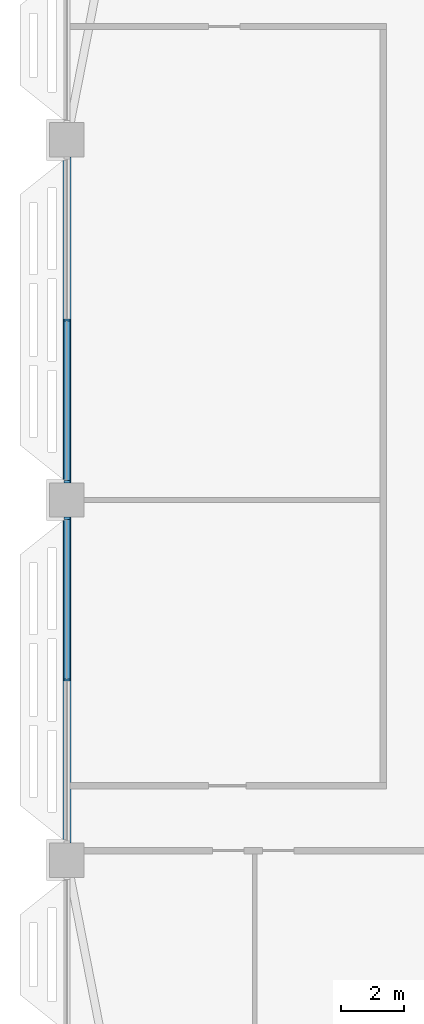
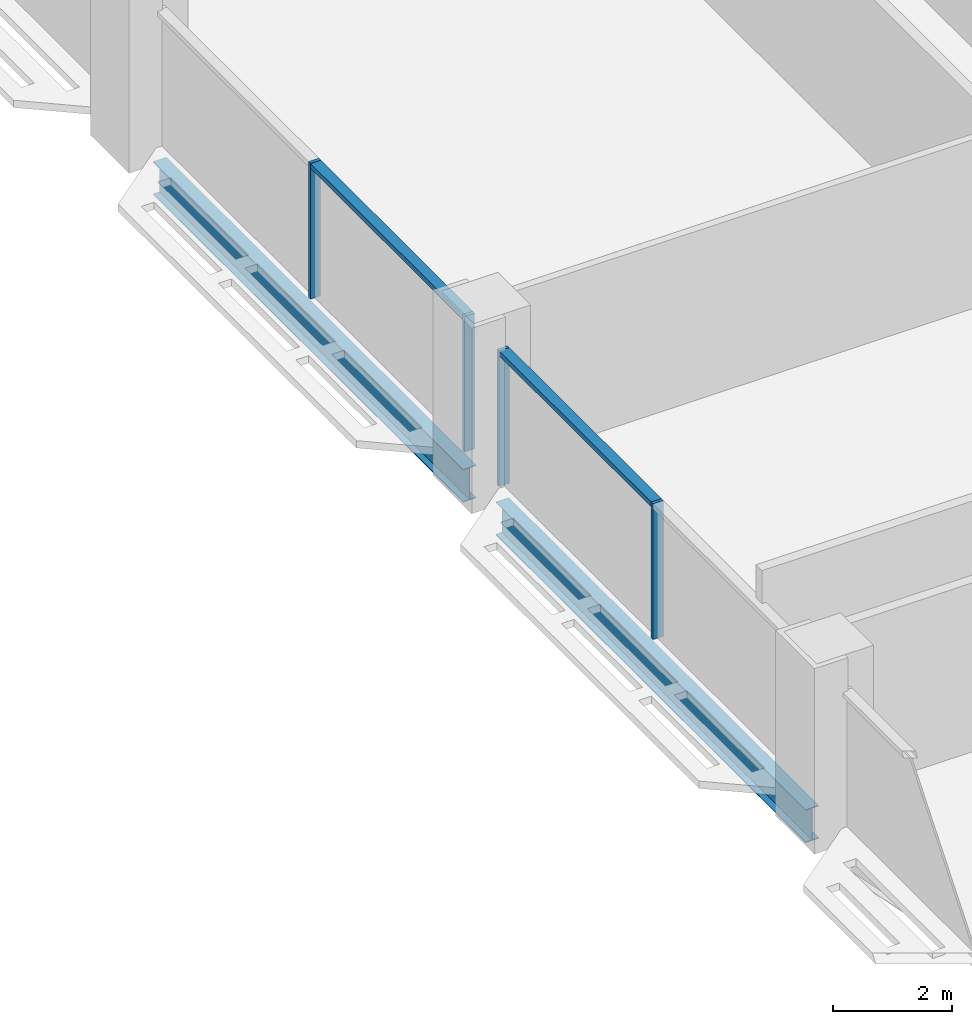
# One storey, part 5 of 30: 6 members, 2 beams, 2 elements without a shape of their own.
"""IFC4 building model written with IfcOpenShell, lengths in metres."""

from ifc_helpers import new_model, si_unit, direction, frame, origin, origin_2d, place, context, subcontext, project, spatial, rectangle, i_section, extrude, material, material_profile, profile_set, type_object, element, aggregate, save


model = new_model("IFC4")

# Units and contexts
model_context = context("Model", 3, precision=1e-05, world=origin(), true_north=direction((0.0, 1.0)))
body_context = subcontext(model_context, "Body", "Model", "MODEL_VIEW")
ifc_project = project(units=[si_unit("LENGTHUNIT", "METRE"), si_unit("AREAUNIT", "SQUARE_METRE"), si_unit("VOLUMEUNIT", "CUBIC_METRE"), si_unit("PLANEANGLEUNIT", "RADIAN"), si_unit("MASSUNIT", "GRAM", prefix="KILO")], contexts=[model_context])

# Site, building, storey
site_placement = place(None, origin())
site = spatial("IfcSite", under=ifc_project, at=site_placement, CompositionType="ELEMENT")
building_placement = place(site_placement, origin())
building = spatial("IfcBuilding", under=site, at=building_placement, Name="Mahtab Terrace Research Tower", CompositionType="ELEMENT")
storey_placement = place(building_placement, frame((0.0, 0.0, 201.5)))
storey = spatial("IfcBuildingStorey", under=building, at=storey_placement, Name="L48", CompositionType="ELEMENT", Elevation=201.5)

# Curtain wall, members
ifc_material_1 = material(Name="Laboratory ribbon curtain wall")
curtain_wall_type = type_object("IfcCurtainWallType", Name="Laboratory ribbon curtain wall", PredefinedType="NOTDEFINED", material=ifc_material_1)
curtain_wall_1_placement = place(storey_placement, origin())
curtain_wall_1 = element("IfcCurtainWall", 1, at=curtain_wall_1_placement, inside=storey, type_object=curtain_wall_type, Name="EN.L48.8.16", PredefinedType="NOTDEFINED")
ifc_material_2 = material(Name="Natural anodised aluminium", Category="aluminium")
ifc_material_profile_1 = material_profile(ifc_material_2, rectangle(XDim=0.199951171875, YDim=0.06494140625, at=origin_2d()), Name="MULLION 65x200")
ifc_profile_set_1 = profile_set([ifc_material_profile_1], Name="Natural anodised aluminium")
member_type_1 = type_object("IfcMemberType", Name="Laboratory ribbon curtain wall mullion", PredefinedType="MULLION", material=ifc_profile_set_1)
member_1_placement = place(storey_placement, frame((-42.0, 5.75, 0.0), z_axis=(0.0, 0.0, 1.0), x_axis=(1.0, 0.0, 0.0)))
member_1 = element("IfcMember", 2, at=member_1_placement, type_object=member_type_1, Name="CWL-6 mullion 2", PredefinedType="MULLION", context=body_context, shape_type="SweptSolid", body=[
    extrude(rectangle(XDim=0.199951171875, YDim=0.06494140625, at=origin_2d()), origin(), (0.0, 0.0, 1.0), 2.78173828125),
])
member_2_placement = place(storey_placement, frame((-42.0, 0.58251953125, 0.0), z_axis=(0.0, 0.0, 1.0), x_axis=(1.0, 0.0, 0.0)))
member_2 = element("IfcMember", 3, at=member_2_placement, type_object=member_type_1, Name="CWL-6 mullion 3", PredefinedType="MULLION", context=body_context, shape_type="SweptSolid", body=[
    extrude(rectangle(XDim=0.199951171875, YDim=0.06494140625, at=origin_2d()), origin(), (0.0, 0.0, 1.0), 2.78173828125),
])

curtain_wall_2_placement = place(storey_placement, origin())
curtain_wall_2 = element("IfcCurtainWall", 4, at=curtain_wall_2_placement, inside=storey, type_object=curtain_wall_type, Name="EN.L48.8.17", PredefinedType="NOTDEFINED")
member_3_placement = place(storey_placement, frame((-42.0, -0.58251953125, 0.0), z_axis=(0.0, 0.0, 1.0), x_axis=(1.0, 0.0, 0.0)))
member_3 = element("IfcMember", 5, at=member_3_placement, type_object=member_type_1, Name="CWL-6 mullion 1", PredefinedType="MULLION", context=body_context, shape_type="SweptSolid", body=[
    extrude(rectangle(XDim=0.199951171875, YDim=0.06494140625, at=origin_2d()), origin(), (0.0, 0.0, 1.0), 2.78173828125),
])
member_4_placement = place(storey_placement, frame((-42.0, -5.75, 0.0), z_axis=(0.0, 0.0, 1.0), x_axis=(1.0, 0.0, 0.0)))
member_4 = element("IfcMember", 6, at=member_4_placement, type_object=member_type_1, Name="CWL-6 mullion 2", PredefinedType="MULLION", context=body_context, shape_type="SweptSolid", body=[
    extrude(rectangle(XDim=0.199951171875, YDim=0.06494140625, at=origin_2d()), origin(), (0.0, 0.0, 1.0), 2.78173828125),
])

# Member
ifc_material_profile_2 = material_profile(ifc_material_2, rectangle(XDim=0.199951171875, YDim=0.10009765625, at=origin_2d()), Name="TRANSOM 100x200")
ifc_profile_set_2 = profile_set([ifc_material_profile_2], Name="Natural anodised aluminium")
member_type_2 = type_object("IfcMemberType", Name="Laboratory ribbon curtain wall transom", PredefinedType="USERDEFINED", material=ifc_profile_set_2)
member_5_placement = place(storey_placement, frame((-42.0, 5.717529296875, 2.731689453125), z_axis=(0.0, -1.0, 0.0), x_axis=(1.0, 0.0, 0.0)))
member_5 = element("IfcMember", 7, at=member_5_placement, type_object=member_type_2, Name="CWL-6 transom 2", ObjectType="TRANSOM", PredefinedType="USERDEFINED", context=body_context, shape_type="SweptSolid", body=[
    extrude(rectangle(XDim=0.199951171875, YDim=0.10009765625, at=origin_2d()), origin(), (0.0, 0.0, 1.0), 5.1025390625),
])

aggregate(curtain_wall_1, [member_1, member_2, member_5])

member_6_placement = place(storey_placement, frame((-42.0, -0.614990234375, 2.731689453125), z_axis=(0.0, -1.0, 0.0), x_axis=(1.0, 0.0, 0.0)))
member_6 = element("IfcMember", 8, at=member_6_placement, type_object=member_type_2, Name="CWL-6 transom 1", ObjectType="TRANSOM", PredefinedType="USERDEFINED", context=body_context, shape_type="SweptSolid", body=[
    extrude(rectangle(XDim=0.199951171875, YDim=0.10009765625, at=origin_2d()), origin(), (0.0, 0.0, 1.0), 5.1025390625),
])

aggregate(curtain_wall_2, [member_3, member_4, member_6])

# Beams
ifc_material_3 = material(Name="Steel ASTM A992 Gr 50", Category="steel")
ifc_material_profile_3 = material_profile(ifc_material_3, i_section(OverallWidth=0.25390625, OverallDepth=0.67822265625, WebThickness=0.01171875, FlangeThickness=0.016357421875, at=origin_2d()), Name="W27X84")
ifc_profile_set_3 = profile_set([ifc_material_profile_3], Name="Steel ASTM A992 Gr 50")
beam_type = type_object("IfcBeamType", Name="W27x84 beam BS2784", PredefinedType="BEAM", material=ifc_profile_set_3)
for number, where, z_axis, x_axis, name in (
    (9, (-42.0, 10.949951171875, -0.67919921875), (0.0, -1.0, 0.0), (1.0, 0.0, 0.0), "Spandrel beam L48 10"),
    (10, (-42.0, -0.550048828125, -0.67919921875), (0.0, -1.0, 0.0), (1.0, 0.0, 0.0), "Spandrel beam L48 11"),
):
    element("IfcBeam", number, at=place(storey_placement, frame(where, z_axis=z_axis, x_axis=x_axis)), inside=storey, type_object=beam_type, Name=name, PredefinedType="BEAM", context=body_context, shape_type="SweptSolid", body=[
        extrude(i_section(OverallWidth=0.25390625, OverallDepth=0.67822265625, WebThickness=0.01171875, FlangeThickness=0.016357421875, at=origin_2d()), origin(), (0.0, 0.0, 1.0), 10.39990234375),
    ])

save(model, "model.ifc")
